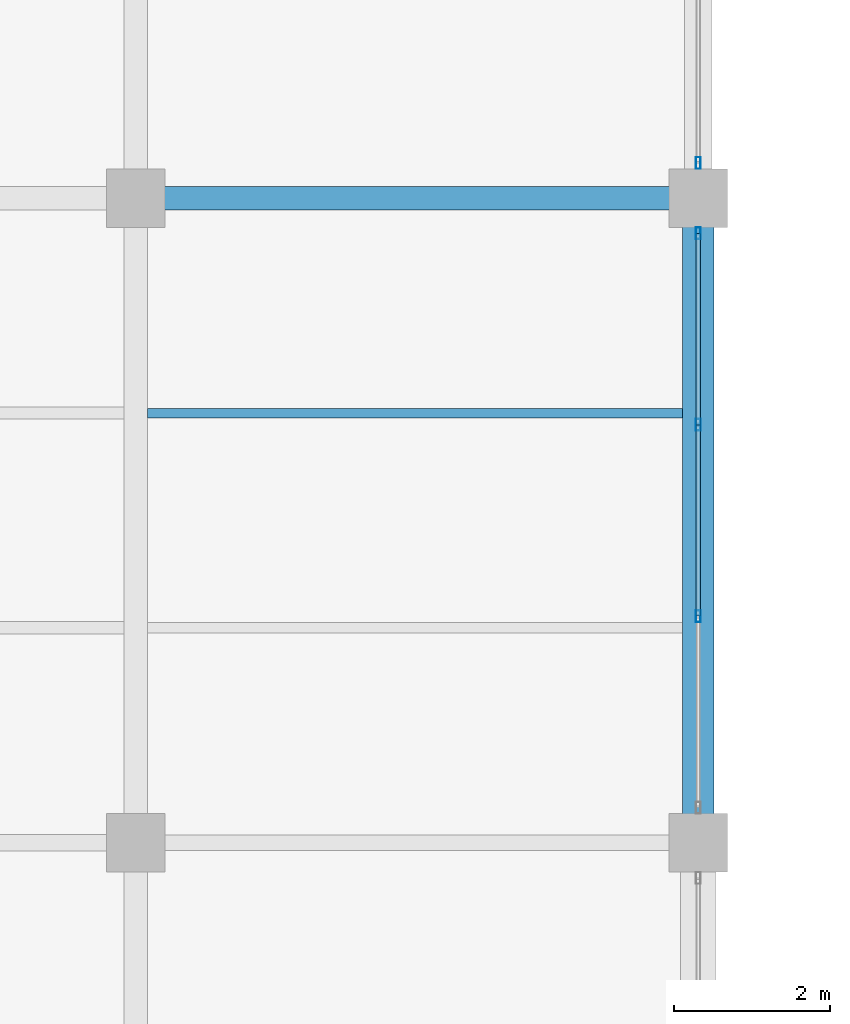
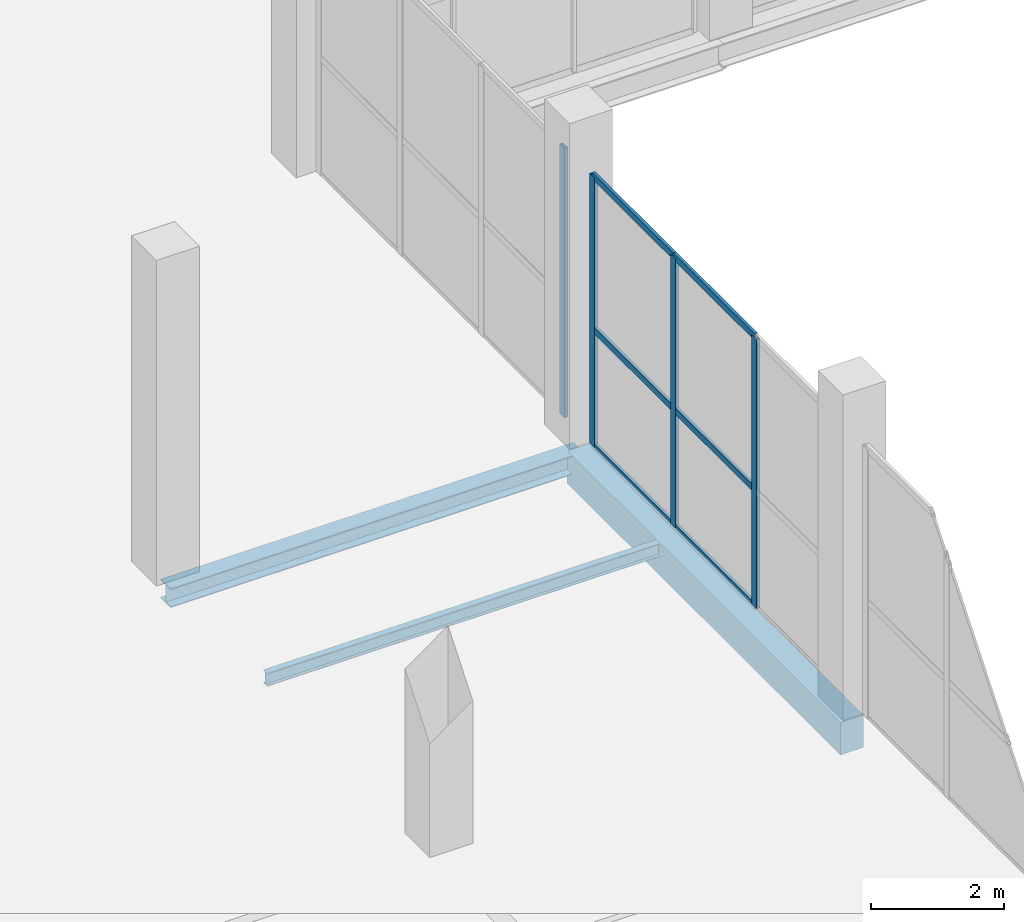
# One storey, part 73 of 144: 10 members, 3 beams, 2 elements without a shape of their own.
"""IFC4 building model written with IfcOpenShell, lengths in metres."""

from ifc_helpers import new_model, si_unit, direction, frame, origin, origin_2d, place, context, subcontext, project, spatial, rectangle, hollow_rectangle, i_section, extrude, material, layer, layer_set, material_profile, profile_set, type_object, element, aggregate, save


model = new_model("IFC4")

# Units and contexts
model_context = context("Model", 3, precision=1e-05, world=origin(), true_north=direction((0.0, 1.0)))
body_context = subcontext(model_context, "Body", "Model", "MODEL_VIEW")
ifc_project = project(units=[si_unit("LENGTHUNIT", "METRE"), si_unit("AREAUNIT", "SQUARE_METRE"), si_unit("VOLUMEUNIT", "CUBIC_METRE"), si_unit("PLANEANGLEUNIT", "RADIAN"), si_unit("MASSUNIT", "GRAM", prefix="KILO")], contexts=[model_context])

# Site, building, storey
site_placement = place(None, origin())
site = spatial("IfcSite", under=ifc_project, at=site_placement, CompositionType="ELEMENT")
building_placement = place(site_placement, origin())
building = spatial("IfcBuilding", under=site, at=building_placement, Name="Sundgate Opera House", CompositionType="ELEMENT")
storey_placement = place(building_placement, origin())
storey = spatial("IfcBuildingStorey", under=building, at=storey_placement, Name="L00", CompositionType="ELEMENT", Elevation=0.0)

# Beams
ifc_material_1 = material(Name="Steel S355J2", Category="steel")
ifc_material_profile_1 = material_profile(ifc_material_1, i_section(OverallWidth=0.300048828125, OverallDepth=0.35009765625, WebThickness=0.010009765625, FlangeThickness=0.017578125, at=origin_2d()), Name="HEA 360")
ifc_profile_set_1 = profile_set([ifc_material_profile_1], Name="Steel S355J2")
beam_type_1 = type_object("IfcBeamType", Name="BM-GR-HEA360", PredefinedType="BEAM", material=ifc_profile_set_1)
beam_1_placement = place(storey_placement, frame((117.0, 103.5, -0.4951171875), z_axis=(1.0, 0.0, 0.0), x_axis=(0.0, 1.0, 0.0)))
element("IfcBeam", 1, at=beam_1_placement, inside=storey, type_object=beam_type_1, Name="L00 Primary E-W Girder B0554", PredefinedType="BEAM", context=body_context, shape_type="SweptSolid", body=[
    extrude(i_section(OverallWidth=0.300048828125, OverallDepth=0.35009765625, WebThickness=0.010009765625, FlangeThickness=0.017578125, at=origin_2d()), origin(), (0.0, 0.0, 1.0), 7.199951171875),
])
ifc_material_2 = material(Name="Steel S355J2", Category="steel")
ifc_material_profile_2 = material_profile(ifc_material_2, i_section(OverallWidth=0.1201171875, OverallDepth=0.239990234375, WebThickness=0.006103515625, FlangeThickness=0.009765625, at=origin_2d()), Name="IPE 240")
ifc_profile_set_2 = profile_set([ifc_material_profile_2], Name="Steel S355J2")
beam_type_2 = type_object("IfcBeamType", Name="BM-JS-IPE240", PredefinedType="JOIST", material=ifc_profile_set_2)
beam_2_placement = place(storey_placement, frame((117.14990234375, 100.75, -0.43994140625), z_axis=(1.0, 0.0, 0.0), x_axis=(0.0, 1.0, 0.0)))
element("IfcBeam", 2, at=beam_2_placement, inside=storey, type_object=beam_type_2, Name="L00 Secondary Floor Joist B0979", PredefinedType="JOIST", context=body_context, shape_type="SweptSolid", body=[
    extrude(i_section(OverallWidth=0.1201171875, OverallDepth=0.239990234375, WebThickness=0.006103515625, FlangeThickness=0.009765625, at=origin_2d()), origin(), (0.0, 0.0, 1.0), 6.85009765625),
])
ifc_material_3 = material(Name="Concrete C35/45", Category="concrete")
ifc_material_profile_3 = material_profile(ifc_material_3, rectangle(XDim=0.39990234375, YDim=0.60009765625, at=origin_2d()), Name="RC 400x600")
ifc_profile_set_3 = profile_set([ifc_material_profile_3], Name="Concrete C35/45")
beam_type_3 = type_object("IfcBeamType", Name="BM-RC-400x600", PredefinedType="BEAM", material=ifc_profile_set_3)
beam_3_placement = place(storey_placement, frame((124.199951171875, 95.25, -0.6201171875), z_axis=(0.0, 1.0, 0.0), x_axis=(-1.0, 0.0, 0.0)))
element("IfcBeam", 3, at=beam_3_placement, inside=storey, type_object=beam_type_3, Name="L00 Primary N-S Girder B0255", PredefinedType="BEAM", context=body_context, shape_type="SweptSolid", body=[
    extrude(rectangle(XDim=0.39990234375, YDim=0.60009765625, at=origin_2d()), origin(), (0.0, 0.0, 1.0), 8.25),
])

# Curtain wall, members
ifc_material_4 = material(Name="Anodized aluminium and low-iron glass", Category="aluminium")
ifc_layer = layer(ifc_material_4, 0.159912109375)
ifc_layer_set = layer_set([ifc_layer], Name="Anodized aluminium and low-iron glass")
curtain_wall_type = type_object("IfcCurtainWallType", Name="CW-STUDIO-DARK", PredefinedType="NOTDEFINED", material=ifc_layer_set)
curtain_wall_1_placement = place(storey_placement, origin())
curtain_wall_1 = element("IfcCurtainWall", 4, at=curtain_wall_1_placement, inside=storey, type_object=curtain_wall_type, Name="L00 Curtain Wall CW090", PredefinedType="NOTDEFINED")
ifc_material_5 = material(Name="Anodized aluminium EN AW-6063", Category="aluminium")
ifc_material_profile_4 = material_profile(ifc_material_5, hollow_rectangle(XDim=0.06005859375, YDim=0.14990234375, WallThickness=0.00390625, at=origin_2d()), Name="CWM 150x60x4")
ifc_profile_set_4 = profile_set([ifc_material_profile_4], Name="Anodized aluminium EN AW-6063")
member_type_1 = type_object("IfcMemberType", Name="CWM-ALU-150x60", PredefinedType="MULLION", material=ifc_profile_set_4)
member_1_placement = place(storey_placement, frame((124.199951171875, 98.14990234375, 0.0), z_axis=(0.0, 0.0, 1.0), x_axis=(1.0, 0.0, 0.0)))
member_1 = element("IfcMember", 5, at=member_1_placement, type_object=member_type_1, Name="CW090 Mullion 2", PredefinedType="MULLION", context=body_context, shape_type="SweptSolid", body=[
    extrude(hollow_rectangle(XDim=0.06005859375, YDim=0.14990234375, WallThickness=0.00390625, at=origin_2d()), origin(), (0.0, 0.0, 1.0), 4.965087890625),
])
member_2_placement = place(storey_placement, frame((124.199951171875, 100.60009765625, 0.0), z_axis=(0.0, 0.0, 1.0), x_axis=(1.0, 0.0, 0.0)))
member_2 = element("IfcMember", 6, at=member_2_placement, type_object=member_type_1, Name="CW090 Mullion 3", PredefinedType="MULLION", context=body_context, shape_type="SweptSolid", body=[
    extrude(hollow_rectangle(XDim=0.06005859375, YDim=0.14990234375, WallThickness=0.00390625, at=origin_2d()), origin(), (0.0, 0.0, 1.0), 4.965087890625),
])
member_3_placement = place(storey_placement, frame((124.199951171875, 103.050048828125, 0.0), z_axis=(0.0, 0.0, 1.0), x_axis=(1.0, 0.0, 0.0)))
member_3 = element("IfcMember", 7, at=member_3_placement, type_object=member_type_1, Name="CW090 Mullion 4", PredefinedType="MULLION", context=body_context, shape_type="SweptSolid", body=[
    extrude(hollow_rectangle(XDim=0.06005859375, YDim=0.14990234375, WallThickness=0.00390625, at=origin_2d()), origin(), (0.0, 0.0, 1.0), 4.965087890625),
])

# Curtain wall, member
curtain_wall_2_placement = place(storey_placement, origin())
curtain_wall_2 = element("IfcCurtainWall", 8, at=curtain_wall_2_placement, inside=storey, type_object=curtain_wall_type, Name="L00 Curtain Wall CW092", PredefinedType="NOTDEFINED")
member_4_placement = place(storey_placement, frame((124.199951171875, 103.949951171875, 0.0), z_axis=(0.0, 0.0, 1.0), x_axis=(1.0, 0.0, 0.0)))
member_4 = element("IfcMember", 9, at=member_4_placement, type_object=member_type_1, Name="CW092 Mullion 1", PredefinedType="MULLION", context=body_context, shape_type="SweptSolid", body=[
    extrude(hollow_rectangle(XDim=0.06005859375, YDim=0.14990234375, WallThickness=0.00390625, at=origin_2d()), origin(), (0.0, 0.0, 1.0), 4.965087890625),
])
aggregate(curtain_wall_2, [member_4])

# Member
ifc_material_6 = material(Name="Anodized aluminium EN AW-6063", Category="aluminium")
ifc_material_profile_5 = material_profile(ifc_material_6, hollow_rectangle(XDim=0.054931640625, YDim=0.1201171875, WallThickness=0.00390625, at=origin_2d()), Name="CWT 120x55x4")
ifc_profile_set_5 = profile_set([ifc_material_profile_5], Name="Anodized aluminium EN AW-6063")
member_type_2 = type_object("IfcMemberType", Name="CWT-ALU-120x55", PredefinedType="USERDEFINED", material=ifc_profile_set_5)
member_5_placement = place(storey_placement, frame((124.199951171875, 98.14990234375, 0.0), z_axis=(0.0, 1.0, 0.0), x_axis=(-1.0, 0.0, 0.0)))
member_5 = element("IfcMember", 10, at=member_5_placement, type_object=member_type_2, Name="CW090 Transom 4", ObjectType="TRANSOM", PredefinedType="USERDEFINED", context=body_context, shape_type="SweptSolid", body=[
    extrude(hollow_rectangle(XDim=0.054931640625, YDim=0.1201171875, WallThickness=0.00390625, at=origin_2d()), origin(), (0.0, 0.0, 1.0), 2.4501953125),
])

member_6_placement = place(storey_placement, frame((124.199951171875, 98.14990234375, 2.14990234375), z_axis=(0.0, 1.0, 0.0), x_axis=(-1.0, 0.0, 0.0)))
member_6 = element("IfcMember", 11, at=member_6_placement, type_object=member_type_2, Name="CW090 Transom 5", ObjectType="TRANSOM", PredefinedType="USERDEFINED", context=body_context, shape_type="SweptSolid", body=[
    extrude(hollow_rectangle(XDim=0.054931640625, YDim=0.1201171875, WallThickness=0.00390625, at=origin_2d()), origin(), (0.0, 0.0, 1.0), 2.4501953125),
])

member_7_placement = place(storey_placement, frame((124.199951171875, 98.14990234375, 4.965087890625), z_axis=(0.0, 1.0, 0.0), x_axis=(-1.0, 0.0, 0.0)))
member_7 = element("IfcMember", 12, at=member_7_placement, type_object=member_type_2, Name="CW090 Transom 6", ObjectType="TRANSOM", PredefinedType="USERDEFINED", context=body_context, shape_type="SweptSolid", body=[
    extrude(hollow_rectangle(XDim=0.054931640625, YDim=0.1201171875, WallThickness=0.00390625, at=origin_2d()), origin(), (0.0, 0.0, 1.0), 2.4501953125),
])

member_8_placement = place(storey_placement, frame((124.199951171875, 100.60009765625, 0.0), z_axis=(0.0, 1.0, 0.0), x_axis=(-1.0, 0.0, 0.0)))
member_8 = element("IfcMember", 13, at=member_8_placement, type_object=member_type_2, Name="CW090 Transom 7", ObjectType="TRANSOM", PredefinedType="USERDEFINED", context=body_context, shape_type="SweptSolid", body=[
    extrude(hollow_rectangle(XDim=0.054931640625, YDim=0.1201171875, WallThickness=0.00390625, at=origin_2d()), origin(), (0.0, 0.0, 1.0), 2.449951171875),
])

member_9_placement = place(storey_placement, frame((124.199951171875, 100.60009765625, 2.14990234375), z_axis=(0.0, 1.0, 0.0), x_axis=(-1.0, 0.0, 0.0)))
member_9 = element("IfcMember", 14, at=member_9_placement, type_object=member_type_2, Name="CW090 Transom 8", ObjectType="TRANSOM", PredefinedType="USERDEFINED", context=body_context, shape_type="SweptSolid", body=[
    extrude(hollow_rectangle(XDim=0.054931640625, YDim=0.1201171875, WallThickness=0.00390625, at=origin_2d()), origin(), (0.0, 0.0, 1.0), 2.449951171875),
])

member_10_placement = place(storey_placement, frame((124.199951171875, 100.60009765625, 4.965087890625), z_axis=(0.0, 1.0, 0.0), x_axis=(-1.0, 0.0, 0.0)))
member_10 = element("IfcMember", 15, at=member_10_placement, type_object=member_type_2, Name="CW090 Transom 9", ObjectType="TRANSOM", PredefinedType="USERDEFINED", context=body_context, shape_type="SweptSolid", body=[
    extrude(hollow_rectangle(XDim=0.054931640625, YDim=0.1201171875, WallThickness=0.00390625, at=origin_2d()), origin(), (0.0, 0.0, 1.0), 2.449951171875),
])

aggregate(curtain_wall_1, [member_1, member_2, member_3, member_5, member_6, member_7, member_8, member_9, member_10])

save(model, "model.ifc")
